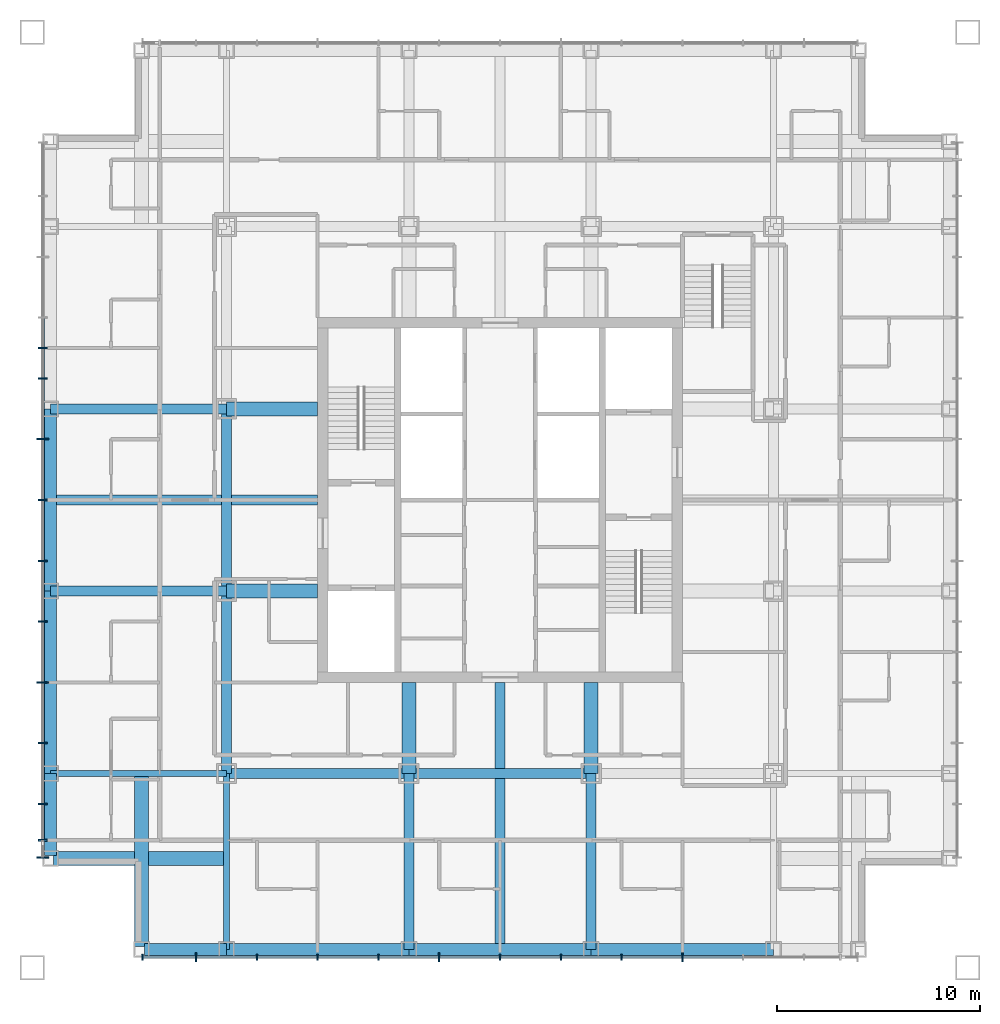
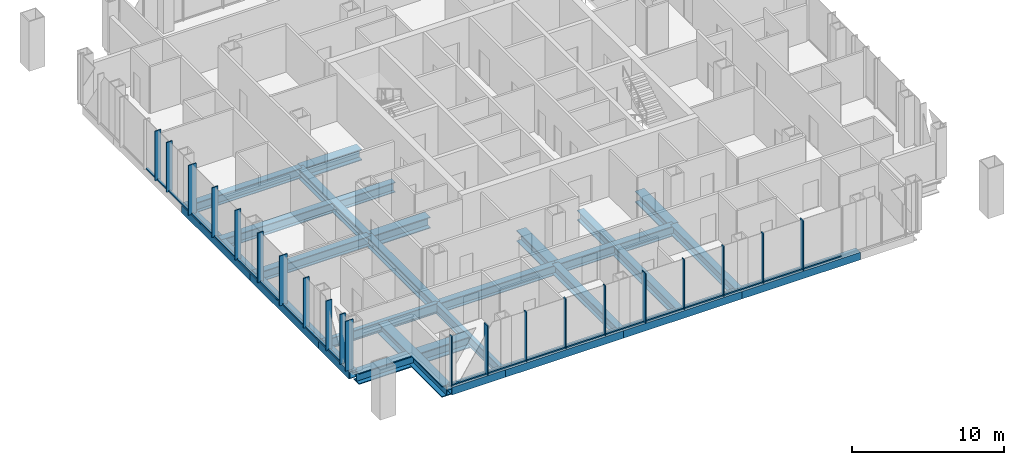
# One storey, part 2 of 15: 41 members, 25 beams, 2 elements without a shape of their own.
"""IFC4 building model written with IfcOpenShell, lengths in metres."""

from ifc_helpers import new_model, si_unit, direction, frame, origin, origin_2d, place, context, subcontext, project, spatial, rectangle, hollow_rectangle, i_section, extrude, material, layer, layer_set, material_profile, profile_set, type_object, element, aggregate, save


model = new_model("IFC4")

# Units and contexts
model_context = context("Model", 3, precision=1e-05, world=origin(), true_north=direction((0.0, 1.0)))
body_context = subcontext(model_context, "Body", "Model", "MODEL_VIEW")
ifc_project = project(units=[si_unit("LENGTHUNIT", "METRE"), si_unit("AREAUNIT", "SQUARE_METRE"), si_unit("VOLUMEUNIT", "CUBIC_METRE"), si_unit("PLANEANGLEUNIT", "RADIAN"), si_unit("MASSUNIT", "GRAM", prefix="KILO")], contexts=[model_context])

# Site, building, storey
site_placement = place(None, origin())
site = spatial("IfcSite", under=ifc_project, at=site_placement, CompositionType="ELEMENT")
building_placement = place(site_placement, origin())
building = spatial("IfcBuilding", under=site, at=building_placement, Name="Malebo Sky Hospital", CompositionType="ELEMENT")
storey_placement = place(building_placement, frame((0.0, 0.0, 217.0)))
storey = spatial("IfcBuildingStorey", under=building, at=storey_placement, Name="L52", CompositionType="ELEMENT", Elevation=217.0)

# Curtain wall, members
ifc_material_1 = material(Name="Anodised aluminium, natural silver", Category="aluminium")
ifc_layer_1 = layer(ifc_material_1, 0.25)
ifc_layer_set_1 = layer_set([ifc_layer_1], Name="WARD CURTAIN WALL EAST AND WEST")
curtain_wall_type_1 = type_object("IfcCurtainWallType", Name="WARD CURTAIN WALL EAST AND WEST", PredefinedType="NOTDEFINED", material=ifc_layer_set_1)
curtain_wall_1_placement = place(storey_placement, origin())
curtain_wall_1 = element("IfcCurtainWall", 1, at=curtain_wall_1_placement, inside=storey, type_object=curtain_wall_type_1, Name="EW curtain wall W", PredefinedType="NOTDEFINED")
ifc_material_profile_1 = material_profile(ifc_material_1, rectangle(XDim=0.14990234375, YDim=0.10009765625, at=origin_2d()), Name="ALUMINIUM TRANSOM 150x100")
ifc_profile_set_1 = profile_set([ifc_material_profile_1], Name="Anodised aluminium, natural silver")
member_type_1 = type_object("IfcMemberType", Name="ALUMINIUM TRANSOM 150x100", PredefinedType="USERDEFINED", material=ifc_profile_set_1)
member_1_placement = place(storey_placement, frame((37.425048828125, 45.237548828125, 0.050048828125), z_axis=(0.0, 1.0, 0.0), x_axis=(-1.0, 0.0, 0.0)))
member_1 = element("IfcMember", 2, at=member_1_placement, type_object=member_type_1, Name="Transom 2", ObjectType="TRANSOM", PredefinedType="USERDEFINED", context=body_context, shape_type="SweptSolid", body=[
    extrude(rectangle(XDim=0.14990234375, YDim=0.10009765625, at=origin_2d()), origin(), (0.0, 0.0, 1.0), 1.724853515625),
])
member_2_placement = place(storey_placement, frame((37.425048828125, 47.03759765625, 0.050048828125), z_axis=(0.0, 1.0, 0.0), x_axis=(-1.0, 0.0, 0.0)))
member_2 = element("IfcMember", 3, at=member_2_placement, type_object=member_type_1, Name="Transom 3", ObjectType="TRANSOM", PredefinedType="USERDEFINED", context=body_context, shape_type="SweptSolid", body=[
    extrude(rectangle(XDim=0.14990234375, YDim=0.10009765625, at=origin_2d()), origin(), (0.0, 0.0, 1.0), 2.9248046875),
])
member_3_placement = place(storey_placement, frame((37.425048828125, 50.03759765625, 0.050048828125), z_axis=(0.0, 1.0, 0.0), x_axis=(-1.0, 0.0, 0.0)))
member_3 = element("IfcMember", 4, at=member_3_placement, type_object=member_type_1, Name="Transom 4", ObjectType="TRANSOM", PredefinedType="USERDEFINED", context=body_context, shape_type="SweptSolid", body=[
    extrude(rectangle(XDim=0.14990234375, YDim=0.10009765625, at=origin_2d()), origin(), (0.0, 0.0, 1.0), 2.9248046875),
])
member_4_placement = place(storey_placement, frame((37.425048828125, 53.03759765625, 0.050048828125), z_axis=(0.0, 1.0, 0.0), x_axis=(-1.0, 0.0, 0.0)))
member_4 = element("IfcMember", 5, at=member_4_placement, type_object=member_type_1, Name="Transom 5", ObjectType="TRANSOM", PredefinedType="USERDEFINED", context=body_context, shape_type="SweptSolid", body=[
    extrude(rectangle(XDim=0.14990234375, YDim=0.10009765625, at=origin_2d()), origin(), (0.0, 0.0, 1.0), 2.9248046875),
])
member_5_placement = place(storey_placement, frame((37.425048828125, 56.03759765625, 0.050048828125), z_axis=(0.0, 1.0, 0.0), x_axis=(-1.0, 0.0, 0.0)))
member_5 = element("IfcMember", 6, at=member_5_placement, type_object=member_type_1, Name="Transom 6", ObjectType="TRANSOM", PredefinedType="USERDEFINED", context=body_context, shape_type="SweptSolid", body=[
    extrude(rectangle(XDim=0.14990234375, YDim=0.10009765625, at=origin_2d()), origin(), (0.0, 0.0, 1.0), 2.9248046875),
])
member_6_placement = place(storey_placement, frame((37.425048828125, 59.03759765625, 0.050048828125), z_axis=(0.0, 1.0, 0.0), x_axis=(-1.0, 0.0, 0.0)))
member_6 = element("IfcMember", 7, at=member_6_placement, type_object=member_type_1, Name="Transom 7", ObjectType="TRANSOM", PredefinedType="USERDEFINED", context=body_context, shape_type="SweptSolid", body=[
    extrude(rectangle(XDim=0.14990234375, YDim=0.10009765625, at=origin_2d()), origin(), (0.0, 0.0, 1.0), 2.9248046875),
])
member_7_placement = place(storey_placement, frame((37.425048828125, 62.03759765625, 0.050048828125), z_axis=(0.0, 1.0, 0.0), x_axis=(-1.0, 0.0, 0.0)))
member_7 = element("IfcMember", 8, at=member_7_placement, type_object=member_type_1, Name="Transom 8", ObjectType="TRANSOM", PredefinedType="USERDEFINED", context=body_context, shape_type="SweptSolid", body=[
    extrude(rectangle(XDim=0.14990234375, YDim=0.10009765625, at=origin_2d()), origin(), (0.0, 0.0, 1.0), 2.9248046875),
])
member_8_placement = place(storey_placement, frame((37.425048828125, 65.03759765625, 0.050048828125), z_axis=(0.0, 1.0, 0.0), x_axis=(-1.0, 0.0, 0.0)))
member_8 = element("IfcMember", 9, at=member_8_placement, type_object=member_type_1, Name="Transom 9", ObjectType="TRANSOM", PredefinedType="USERDEFINED", context=body_context, shape_type="SweptSolid", body=[
    extrude(rectangle(XDim=0.14990234375, YDim=0.10009765625, at=origin_2d()), origin(), (0.0, 0.0, 1.0), 2.9248046875),
])
member_9_placement = place(storey_placement, frame((37.425048828125, 68.03759765625, 0.050048828125), z_axis=(0.0, 1.0, 0.0), x_axis=(-1.0, 0.0, 0.0)))
member_9 = element("IfcMember", 10, at=member_9_placement, type_object=member_type_1, Name="Transom 10", ObjectType="TRANSOM", PredefinedType="USERDEFINED", context=body_context, shape_type="SweptSolid", body=[
    extrude(rectangle(XDim=0.14990234375, YDim=0.10009765625, at=origin_2d()), origin(), (0.0, 0.0, 1.0), 1.4248046875),
])
member_10_placement = place(storey_placement, frame((37.425048828125, 69.53759765625, 0.050048828125), z_axis=(0.0, 1.0, 0.0), x_axis=(-1.0, 0.0, 0.0)))
member_10 = element("IfcMember", 11, at=member_10_placement, type_object=member_type_1, Name="Transom 11", ObjectType="TRANSOM", PredefinedType="USERDEFINED", context=body_context, shape_type="SweptSolid", body=[
    extrude(rectangle(XDim=0.14990234375, YDim=0.10009765625, at=origin_2d()), origin(), (0.0, 0.0, 1.0), 1.4248046875),
])

ifc_layer_2 = layer(ifc_material_1, 0.25)
ifc_layer_set_2 = layer_set([ifc_layer_2], Name="WARD CURTAIN WALL NORTH AND SOUTH")
curtain_wall_type_2 = type_object("IfcCurtainWallType", Name="WARD CURTAIN WALL NORTH AND SOUTH", PredefinedType="NOTDEFINED", material=ifc_layer_set_2)
curtain_wall_2_placement = place(storey_placement, origin())
curtain_wall_2 = element("IfcCurtainWall", 12, at=curtain_wall_2_placement, inside=storey, type_object=curtain_wall_type_2, Name="NS curtain wall S", PredefinedType="NOTDEFINED")
member_11_placement = place(storey_placement, frame((71.96240234375, 39.425048828125, 0.050048828125), z_axis=(-1.0, 0.0, 0.0), x_axis=(0.0, -1.0, 0.0)))
member_11 = element("IfcMember", 13, at=member_11_placement, type_object=member_type_1, Name="Transom 4", ObjectType="TRANSOM", PredefinedType="USERDEFINED", context=body_context, shape_type="SweptSolid", body=[
    extrude(rectangle(XDim=0.14990234375, YDim=0.10009765625, at=origin_2d()), origin(), (0.0, 0.0, 1.0), 2.9248046875),
])
member_12_placement = place(storey_placement, frame((68.96240234375, 39.425048828125, 0.050048828125), z_axis=(-1.0, 0.0, 0.0), x_axis=(0.0, -1.0, 0.0)))
member_12 = element("IfcMember", 14, at=member_12_placement, type_object=member_type_1, Name="Transom 5", ObjectType="TRANSOM", PredefinedType="USERDEFINED", context=body_context, shape_type="SweptSolid", body=[
    extrude(rectangle(XDim=0.14990234375, YDim=0.10009765625, at=origin_2d()), origin(), (0.0, 0.0, 1.0), 2.9248046875),
])
member_13_placement = place(storey_placement, frame((65.96240234375, 39.425048828125, 0.050048828125), z_axis=(-1.0, 0.0, 0.0), x_axis=(0.0, -1.0, 0.0)))
member_13 = element("IfcMember", 15, at=member_13_placement, type_object=member_type_1, Name="Transom 6", ObjectType="TRANSOM", PredefinedType="USERDEFINED", context=body_context, shape_type="SweptSolid", body=[
    extrude(rectangle(XDim=0.14990234375, YDim=0.10009765625, at=origin_2d()), origin(), (0.0, 0.0, 1.0), 2.9248046875),
])
member_14_placement = place(storey_placement, frame((62.96240234375, 39.425048828125, 0.050048828125), z_axis=(-1.0, 0.0, 0.0), x_axis=(0.0, -1.0, 0.0)))
member_14 = element("IfcMember", 16, at=member_14_placement, type_object=member_type_1, Name="Transom 7", ObjectType="TRANSOM", PredefinedType="USERDEFINED", context=body_context, shape_type="SweptSolid", body=[
    extrude(rectangle(XDim=0.14990234375, YDim=0.10009765625, at=origin_2d()), origin(), (0.0, 0.0, 1.0), 2.9248046875),
])
member_15_placement = place(storey_placement, frame((59.96240234375, 39.425048828125, 0.050048828125), z_axis=(-1.0, 0.0, 0.0), x_axis=(0.0, -1.0, 0.0)))
member_15 = element("IfcMember", 17, at=member_15_placement, type_object=member_type_1, Name="Transom 8", ObjectType="TRANSOM", PredefinedType="USERDEFINED", context=body_context, shape_type="SweptSolid", body=[
    extrude(rectangle(XDim=0.14990234375, YDim=0.10009765625, at=origin_2d()), origin(), (0.0, 0.0, 1.0), 2.9248046875),
])
member_16_placement = place(storey_placement, frame((56.96240234375, 39.425048828125, 0.050048828125), z_axis=(-1.0, 0.0, 0.0), x_axis=(0.0, -1.0, 0.0)))
member_16 = element("IfcMember", 18, at=member_16_placement, type_object=member_type_1, Name="Transom 9", ObjectType="TRANSOM", PredefinedType="USERDEFINED", context=body_context, shape_type="SweptSolid", body=[
    extrude(rectangle(XDim=0.14990234375, YDim=0.10009765625, at=origin_2d()), origin(), (0.0, 0.0, 1.0), 2.9248046875),
])
member_17_placement = place(storey_placement, frame((53.96240234375, 39.425048828125, 0.050048828125), z_axis=(-1.0, 0.0, 0.0), x_axis=(0.0, -1.0, 0.0)))
member_17 = element("IfcMember", 19, at=member_17_placement, type_object=member_type_1, Name="Transom 10", ObjectType="TRANSOM", PredefinedType="USERDEFINED", context=body_context, shape_type="SweptSolid", body=[
    extrude(rectangle(XDim=0.14990234375, YDim=0.10009765625, at=origin_2d()), origin(), (0.0, 0.0, 1.0), 2.9248046875),
])
member_18_placement = place(storey_placement, frame((50.96240234375, 39.425048828125, 0.050048828125), z_axis=(-1.0, 0.0, 0.0), x_axis=(0.0, -1.0, 0.0)))
member_18 = element("IfcMember", 20, at=member_18_placement, type_object=member_type_1, Name="Transom 11", ObjectType="TRANSOM", PredefinedType="USERDEFINED", context=body_context, shape_type="SweptSolid", body=[
    extrude(rectangle(XDim=0.14990234375, YDim=0.10009765625, at=origin_2d()), origin(), (0.0, 0.0, 1.0), 2.9248046875),
])
member_19_placement = place(storey_placement, frame((47.96240234375, 39.425048828125, 0.050048828125), z_axis=(-1.0, 0.0, 0.0), x_axis=(0.0, -1.0, 0.0)))
member_19 = element("IfcMember", 21, at=member_19_placement, type_object=member_type_1, Name="Transom 12", ObjectType="TRANSOM", PredefinedType="USERDEFINED", context=body_context, shape_type="SweptSolid", body=[
    extrude(rectangle(XDim=0.14990234375, YDim=0.10009765625, at=origin_2d()), origin(), (0.0, 0.0, 1.0), 2.9248046875),
])
member_20_placement = place(storey_placement, frame((44.96240234375, 39.425048828125, 0.050048828125), z_axis=(-1.0, 0.0, 0.0), x_axis=(0.0, -1.0, 0.0)))
member_20 = element("IfcMember", 22, at=member_20_placement, type_object=member_type_1, Name="Transom 13", ObjectType="TRANSOM", PredefinedType="USERDEFINED", context=body_context, shape_type="SweptSolid", body=[
    extrude(rectangle(XDim=0.14990234375, YDim=0.10009765625, at=origin_2d()), origin(), (0.0, 0.0, 1.0), 2.58740234375),
])
ifc_material_profile_2 = material_profile(ifc_material_1, rectangle(XDim=0.074951171875, YDim=0.300048828125, at=origin_2d()), Name="CW1 ALUMINIUM FIN MULLION 75x300")
ifc_profile_set_2 = profile_set([ifc_material_profile_2], Name="Anodised aluminium, natural silver")
member_type_2 = type_object("IfcMemberType", Name="CW1 ALUMINIUM FIN MULLION 75x300", PredefinedType="MULLION", material=ifc_profile_set_2)
member_21_placement = place(storey_placement, frame((66.0, 39.425048828125, 0.0), z_axis=(0.0, 0.0, 1.0), x_axis=(-1.0, 0.0, 0.0)))
member_21 = element("IfcMember", 23, at=member_21_placement, type_object=member_type_2, Name="Fin mullion 6", PredefinedType="MULLION", context=body_context, shape_type="SweptSolid", body=[
    extrude(rectangle(XDim=0.074951171875, YDim=0.300048828125, at=origin_2d()), origin(), (0.0, 0.0, 1.0), 4.0),
])
member_22_placement = place(storey_placement, frame((63.0, 39.425048828125, 0.0), z_axis=(0.0, 0.0, 1.0), x_axis=(-1.0, 0.0, 0.0)))
member_22 = element("IfcMember", 24, at=member_22_placement, type_object=member_type_2, Name="Fin mullion 7", PredefinedType="MULLION", context=body_context, shape_type="SweptSolid", body=[
    extrude(rectangle(XDim=0.074951171875, YDim=0.300048828125, at=origin_2d()), origin(), (0.0, 0.0, 1.0), 4.0),
])
member_23_placement = place(storey_placement, frame((60.0, 39.425048828125, 0.0), z_axis=(0.0, 0.0, 1.0), x_axis=(-1.0, 0.0, 0.0)))
member_23 = element("IfcMember", 25, at=member_23_placement, type_object=member_type_2, Name="Fin mullion 8", PredefinedType="MULLION", context=body_context, shape_type="SweptSolid", body=[
    extrude(rectangle(XDim=0.074951171875, YDim=0.300048828125, at=origin_2d()), origin(), (0.0, 0.0, 1.0), 4.0),
])
member_24_placement = place(storey_placement, frame((54.0, 39.425048828125, 0.0), z_axis=(0.0, 0.0, 1.0), x_axis=(-1.0, 0.0, 0.0)))
member_24 = element("IfcMember", 26, at=member_24_placement, type_object=member_type_2, Name="Fin mullion 10", PredefinedType="MULLION", context=body_context, shape_type="SweptSolid", body=[
    extrude(rectangle(XDim=0.074951171875, YDim=0.300048828125, at=origin_2d()), origin(), (0.0, 0.0, 1.0), 4.0),
])
member_25_placement = place(storey_placement, frame((51.0, 39.425048828125, 0.0), z_axis=(0.0, 0.0, 1.0), x_axis=(-1.0, 0.0, 0.0)))
member_25 = element("IfcMember", 27, at=member_25_placement, type_object=member_type_2, Name="Fin mullion 11", PredefinedType="MULLION", context=body_context, shape_type="SweptSolid", body=[
    extrude(rectangle(XDim=0.074951171875, YDim=0.300048828125, at=origin_2d()), origin(), (0.0, 0.0, 1.0), 4.0),
])
member_26_placement = place(storey_placement, frame((48.0, 39.425048828125, 0.0), z_axis=(0.0, 0.0, 1.0), x_axis=(-1.0, 0.0, 0.0)))
member_26 = element("IfcMember", 28, at=member_26_placement, type_object=member_type_2, Name="Fin mullion 12", PredefinedType="MULLION", context=body_context, shape_type="SweptSolid", body=[
    extrude(rectangle(XDim=0.074951171875, YDim=0.300048828125, at=origin_2d()), origin(), (0.0, 0.0, 1.0), 4.0),
])
member_27_placement = place(storey_placement, frame((42.33740234375, 39.425048828125, 0.0), z_axis=(0.0, 0.0, 1.0), x_axis=(-1.0, 0.0, 0.0)))
member_27 = element("IfcMember", 29, at=member_27_placement, type_object=member_type_2, Name="Fin mullion 14", PredefinedType="MULLION", context=body_context, shape_type="SweptSolid", body=[
    extrude(rectangle(XDim=0.074951171875, YDim=0.300048828125, at=origin_2d()), origin(), (0.0, 0.0, 1.0), 4.0),
])
ifc_material_profile_3 = material_profile(ifc_material_1, rectangle(XDim=0.074951171875, YDim=0.449951171875, at=origin_2d()), Name="CW1 ALUMINIUM FIN MULLION 75x450")
ifc_profile_set_3 = profile_set([ifc_material_profile_3], Name="Anodised aluminium, natural silver")
member_type_3 = type_object("IfcMemberType", Name="CW1 ALUMINIUM FIN MULLION 75x450", PredefinedType="MULLION", material=ifc_profile_set_3)
member_28_placement = place(storey_placement, frame((69.0, 39.425048828125, 0.0), z_axis=(0.0, 0.0, 1.0), x_axis=(-1.0, 0.0, 0.0)))
member_28 = element("IfcMember", 30, at=member_28_placement, type_object=member_type_3, Name="Fin mullion 5", PredefinedType="MULLION", context=body_context, shape_type="SweptSolid", body=[
    extrude(rectangle(XDim=0.074951171875, YDim=0.449951171875, at=origin_2d()), origin(), (0.0, 0.0, 1.0), 4.0),
])
member_29_placement = place(storey_placement, frame((57.0, 39.425048828125, 0.0), z_axis=(0.0, 0.0, 1.0), x_axis=(-1.0, 0.0, 0.0)))
member_29 = element("IfcMember", 31, at=member_29_placement, type_object=member_type_3, Name="Fin mullion 9", PredefinedType="MULLION", context=body_context, shape_type="SweptSolid", body=[
    extrude(rectangle(XDim=0.074951171875, YDim=0.449951171875, at=origin_2d()), origin(), (0.0, 0.0, 1.0), 4.0),
])
member_30_placement = place(storey_placement, frame((45.0, 39.425048828125, 0.0), z_axis=(0.0, 0.0, 1.0), x_axis=(-1.0, 0.0, 0.0)))
member_30 = element("IfcMember", 32, at=member_30_placement, type_object=member_type_3, Name="Fin mullion 13", PredefinedType="MULLION", context=body_context, shape_type="SweptSolid", body=[
    extrude(rectangle(XDim=0.074951171875, YDim=0.449951171875, at=origin_2d()), origin(), (0.0, 0.0, 1.0), 4.0),
])
aggregate(curtain_wall_2, [member_28, member_21, member_22, member_23, member_29, member_24, member_25, member_26, member_30, member_27, member_11, member_12, member_13, member_14, member_15, member_16, member_17, member_18, member_19, member_20])

# Member
ifc_material_profile_4 = material_profile(ifc_material_1, rectangle(XDim=0.074951171875, YDim=0.449951171875, at=origin_2d()), Name="CW2 ALUMINIUM FIN MULLION 75x450")
ifc_profile_set_4 = profile_set([ifc_material_profile_4], Name="Anodised aluminium, natural silver")
member_type_4 = type_object("IfcMemberType", Name="CW2 ALUMINIUM FIN MULLION 75x450", PredefinedType="MULLION", material=ifc_profile_set_4)
member_31_placement = place(storey_placement, frame((37.425048828125, 45.199951171875, 0.0), z_axis=(0.0, 0.0, 1.0), x_axis=(0.0, 1.0, 0.0)))
member_31 = element("IfcMember", 33, at=member_31_placement, type_object=member_type_4, Name="Fin mullion 2", PredefinedType="MULLION", context=body_context, shape_type="SweptSolid", body=[
    extrude(rectangle(XDim=0.074951171875, YDim=0.449951171875, at=origin_2d()), origin(), (0.0, 0.0, 1.0), 4.0),
])

member_32_placement = place(storey_placement, frame((37.425048828125, 47.0, 0.0), z_axis=(0.0, 0.0, 1.0), x_axis=(0.0, 1.0, 0.0)))
member_32 = element("IfcMember", 34, at=member_32_placement, type_object=member_type_4, Name="Fin mullion 3", PredefinedType="MULLION", context=body_context, shape_type="SweptSolid", body=[
    extrude(rectangle(XDim=0.074951171875, YDim=0.449951171875, at=origin_2d()), origin(), (0.0, 0.0, 1.0), 4.0),
])

member_33_placement = place(storey_placement, frame((37.425048828125, 50.0, 0.0), z_axis=(0.0, 0.0, 1.0), x_axis=(0.0, 1.0, 0.0)))
member_33 = element("IfcMember", 35, at=member_33_placement, type_object=member_type_4, Name="Fin mullion 4", PredefinedType="MULLION", context=body_context, shape_type="SweptSolid", body=[
    extrude(rectangle(XDim=0.074951171875, YDim=0.449951171875, at=origin_2d()), origin(), (0.0, 0.0, 1.0), 4.0),
])

member_34_placement = place(storey_placement, frame((37.425048828125, 56.0, 0.0), z_axis=(0.0, 0.0, 1.0), x_axis=(0.0, 1.0, 0.0)))
member_34 = element("IfcMember", 36, at=member_34_placement, type_object=member_type_4, Name="Fin mullion 6", PredefinedType="MULLION", context=body_context, shape_type="SweptSolid", body=[
    extrude(rectangle(XDim=0.074951171875, YDim=0.449951171875, at=origin_2d()), origin(), (0.0, 0.0, 1.0), 4.0),
])

member_35_placement = place(storey_placement, frame((37.425048828125, 59.0, 0.0), z_axis=(0.0, 0.0, 1.0), x_axis=(0.0, 1.0, 0.0)))
member_35 = element("IfcMember", 37, at=member_35_placement, type_object=member_type_4, Name="Fin mullion 7", PredefinedType="MULLION", context=body_context, shape_type="SweptSolid", body=[
    extrude(rectangle(XDim=0.074951171875, YDim=0.449951171875, at=origin_2d()), origin(), (0.0, 0.0, 1.0), 4.0),
])

member_36_placement = place(storey_placement, frame((37.425048828125, 62.0, 0.0), z_axis=(0.0, 0.0, 1.0), x_axis=(0.0, 1.0, 0.0)))
member_36 = element("IfcMember", 38, at=member_36_placement, type_object=member_type_4, Name="Fin mullion 8", PredefinedType="MULLION", context=body_context, shape_type="SweptSolid", body=[
    extrude(rectangle(XDim=0.074951171875, YDim=0.449951171875, at=origin_2d()), origin(), (0.0, 0.0, 1.0), 4.0),
])

member_37_placement = place(storey_placement, frame((37.425048828125, 68.0, 0.0), z_axis=(0.0, 0.0, 1.0), x_axis=(0.0, 1.0, 0.0)))
member_37 = element("IfcMember", 39, at=member_37_placement, type_object=member_type_4, Name="Fin mullion 10", PredefinedType="MULLION", context=body_context, shape_type="SweptSolid", body=[
    extrude(rectangle(XDim=0.074951171875, YDim=0.449951171875, at=origin_2d()), origin(), (0.0, 0.0, 1.0), 4.0),
])

member_38_placement = place(storey_placement, frame((37.425048828125, 69.5, 0.0), z_axis=(0.0, 0.0, 1.0), x_axis=(0.0, 1.0, 0.0)))
member_38 = element("IfcMember", 40, at=member_38_placement, type_object=member_type_4, Name="Fin mullion 11", PredefinedType="MULLION", context=body_context, shape_type="SweptSolid", body=[
    extrude(rectangle(XDim=0.074951171875, YDim=0.449951171875, at=origin_2d()), origin(), (0.0, 0.0, 1.0), 4.0),
])

ifc_material_profile_5 = material_profile(ifc_material_1, rectangle(XDim=0.074951171875, YDim=0.60009765625, at=origin_2d()), Name="CW2 ALUMINIUM FIN MULLION 75x600")
ifc_profile_set_5 = profile_set([ifc_material_profile_5], Name="Anodised aluminium, natural silver")
member_type_5 = type_object("IfcMemberType", Name="CW2 ALUMINIUM FIN MULLION 75x600", PredefinedType="MULLION", material=ifc_profile_set_5)
member_39_placement = place(storey_placement, frame((37.425048828125, 44.33740234375, 0.0), z_axis=(0.0, 0.0, 1.0), x_axis=(0.0, 1.0, 0.0)))
member_39 = element("IfcMember", 41, at=member_39_placement, type_object=member_type_5, Name="Fin mullion 1", PredefinedType="MULLION", context=body_context, shape_type="SweptSolid", body=[
    extrude(rectangle(XDim=0.074951171875, YDim=0.60009765625, at=origin_2d()), origin(), (0.0, 0.0, 1.0), 4.0),
])

member_40_placement = place(storey_placement, frame((37.425048828125, 53.0, 0.0), z_axis=(0.0, 0.0, 1.0), x_axis=(0.0, 1.0, 0.0)))
member_40 = element("IfcMember", 42, at=member_40_placement, type_object=member_type_5, Name="Fin mullion 5", PredefinedType="MULLION", context=body_context, shape_type="SweptSolid", body=[
    extrude(rectangle(XDim=0.074951171875, YDim=0.60009765625, at=origin_2d()), origin(), (0.0, 0.0, 1.0), 4.0),
])

member_41_placement = place(storey_placement, frame((37.425048828125, 65.0, 0.0), z_axis=(0.0, 0.0, 1.0), x_axis=(0.0, 1.0, 0.0)))
member_41 = element("IfcMember", 43, at=member_41_placement, type_object=member_type_5, Name="Fin mullion 9", PredefinedType="MULLION", context=body_context, shape_type="SweptSolid", body=[
    extrude(rectangle(XDim=0.074951171875, YDim=0.60009765625, at=origin_2d()), origin(), (0.0, 0.0, 1.0), 4.0),
])

aggregate(curtain_wall_1, [member_39, member_31, member_32, member_33, member_40, member_34, member_35, member_36, member_41, member_37, member_38, member_1, member_2, member_3, member_4, member_5, member_6, member_7, member_8, member_9, member_10])

# Beams
ifc_material_2 = material(Name="Steel S460", Category="steel")
ifc_material_profile_6 = material_profile(ifc_material_2, hollow_rectangle(XDim=0.60009765625, YDim=0.60009765625, WallThickness=0.0400390625, at=origin_2d()), Name="BOX 600x600x40")
ifc_profile_set_6 = profile_set([ifc_material_profile_6], Name="Steel S460")
beam_type_1 = type_object("IfcBeamType", Name="EDGE BEAM BOX 600x600x40", PredefinedType="BEAM", material=ifc_profile_set_6)
beam_1_placement = place(storey_placement, frame((37.800048828125, 44.449951171875, -0.550048828125), z_axis=(0.0, 1.0, 0.0), x_axis=(-1.0, 0.0, 0.0)))
element("IfcBeam", 44, at=beam_1_placement, inside=storey, type_object=beam_type_1, Name="Beam 000 L52", PredefinedType="BEAM", context=body_context, shape_type="SweptSolid", body=[
    extrude(hollow_rectangle(XDim=0.60009765625, YDim=0.60009765625, WallThickness=0.0400390625, at=origin_2d()), origin(), (0.0, 0.0, 1.0), 4.050048828125),
])
for number, where, z_axis, x_axis, name in (
    (45, (37.800048828125, 48.5, -0.550048828125), (0.0, 1.0, 0.0), (-1.0, 0.0, 0.0), "Beam 001 L52"),
    (46, (37.800048828125, 57.5, -0.550048828125), (0.0, 1.0, 0.0), (-1.0, 0.0, 0.0), "Beam 002 L52"),
):
    element("IfcBeam", number, at=place(storey_placement, frame(where, z_axis=z_axis, x_axis=x_axis)), inside=storey, type_object=beam_type_1, Name=name, PredefinedType="BEAM", context=body_context, shape_type="SweptSolid", body=[
        extrude(hollow_rectangle(XDim=0.60009765625, YDim=0.60009765625, WallThickness=0.0400390625, at=origin_2d()), origin(), (0.0, 0.0, 1.0), 9.0),
    ])
beam_2_placement = place(storey_placement, frame((42.449951171875, 39.800048828125, -0.550048828125), z_axis=(1.0, 0.0, 0.0), x_axis=(0.0, 1.0, 0.0)))
element("IfcBeam", 47, at=beam_2_placement, inside=storey, type_object=beam_type_1, Name="Beam 034 L52", PredefinedType="BEAM", context=body_context, shape_type="SweptSolid", body=[
    extrude(hollow_rectangle(XDim=0.60009765625, YDim=0.60009765625, WallThickness=0.0400390625, at=origin_2d()), origin(), (0.0, 0.0, 1.0), 4.050048828125),
])
for number, where, z_axis, x_axis, name in (
    (48, (46.5, 39.800048828125, -0.550048828125), (1.0, 0.0, 0.0), (0.0, 1.0, 0.0), "Beam 035 L52"),
    (49, (55.5, 39.800048828125, -0.550048828125), (1.0, 0.0, 0.0), (0.0, 1.0, 0.0), "Beam 036 L52"),
    (50, (64.5, 39.800048828125, -0.550048828125), (1.0, 0.0, 0.0), (0.0, 1.0, 0.0), "Beam 037 L52"),
):
    element("IfcBeam", number, at=place(storey_placement, frame(where, z_axis=z_axis, x_axis=x_axis)), inside=storey, type_object=beam_type_1, Name=name, PredefinedType="BEAM", context=body_context, shape_type="SweptSolid", body=[
        extrude(hollow_rectangle(XDim=0.60009765625, YDim=0.60009765625, WallThickness=0.0400390625, at=origin_2d()), origin(), (0.0, 0.0, 1.0), 9.0),
    ])
ifc_material_3 = material(Name="Steel S355", Category="steel")
ifc_material_profile_7 = material_profile(ifc_material_3, i_section(OverallWidth=0.5, OverallDepth=0.800048828125, WebThickness=0.030029296875, FlangeThickness=0.050048828125, at=origin_2d()), Name="PG 800x500x30x50")
ifc_profile_set_7 = profile_set([ifc_material_profile_7], Name="Steel S355")
beam_type_2 = type_object("IfcBeamType", Name="FLOOR BEAM PG 800x500x30x50", PredefinedType="BEAM", material=ifc_profile_set_7)
beam_3_placement = place(storey_placement, frame((46.5, 48.5, -0.64990234375), z_axis=(0.0, 1.0, 0.0), x_axis=(-1.0, 0.0, 0.0)))
element("IfcBeam", 51, at=beam_3_placement, inside=storey, type_object=beam_type_2, Name="Beam 008 L52", PredefinedType="BEAM", context=body_context, shape_type="SweptSolid", body=[
    extrude(i_section(OverallWidth=0.5, OverallDepth=0.800048828125, WebThickness=0.030029296875, FlangeThickness=0.050048828125, at=origin_2d()), origin(), (0.0, 0.0, 1.0), 9.0),
])
beam_4_placement = place(storey_placement, frame((55.5, 39.800048828125, -0.64990234375), z_axis=(0.0, 1.0, 0.0), x_axis=(-1.0, 0.0, 0.0)))
element("IfcBeam", 52, at=beam_4_placement, inside=storey, type_object=beam_type_2, Name="Beam 012 L52", PredefinedType="BEAM", context=body_context, shape_type="SweptSolid", body=[
    extrude(i_section(OverallWidth=0.5, OverallDepth=0.800048828125, WebThickness=0.030029296875, FlangeThickness=0.050048828125, at=origin_2d()), origin(), (0.0, 0.0, 1.0), 8.699951171875),
])
beam_5_placement = place(storey_placement, frame((60.0, 39.800048828125, -0.64990234375), z_axis=(0.0, 1.0, 0.0), x_axis=(-1.0, 0.0, 0.0)))
element("IfcBeam", 53, at=beam_5_placement, inside=storey, type_object=beam_type_2, Name="Beam 016 L52", PredefinedType="BEAM", context=body_context, shape_type="SweptSolid", body=[
    extrude(i_section(OverallWidth=0.5, OverallDepth=0.800048828125, WebThickness=0.030029296875, FlangeThickness=0.050048828125, at=origin_2d()), origin(), (0.0, 0.0, 1.0), 13.199951171875),
])
beam_6_placement = place(storey_placement, frame((64.5, 39.800048828125, -0.64990234375), z_axis=(0.0, 1.0, 0.0), x_axis=(-1.0, 0.0, 0.0)))
element("IfcBeam", 54, at=beam_6_placement, inside=storey, type_object=beam_type_2, Name="Beam 018 L52", PredefinedType="BEAM", context=body_context, shape_type="SweptSolid", body=[
    extrude(i_section(OverallWidth=0.5, OverallDepth=0.800048828125, WebThickness=0.030029296875, FlangeThickness=0.050048828125, at=origin_2d()), origin(), (0.0, 0.0, 1.0), 8.699951171875),
])
beam_7_placement = place(storey_placement, frame((46.5, 48.5, -0.64990234375), z_axis=(1.0, 0.0, 0.0), x_axis=(0.0, 1.0, 0.0)))
element("IfcBeam", 55, at=beam_7_placement, inside=storey, type_object=beam_type_2, Name="Beam 042 L52", PredefinedType="BEAM", context=body_context, shape_type="SweptSolid", body=[
    extrude(i_section(OverallWidth=0.5, OverallDepth=0.800048828125, WebThickness=0.030029296875, FlangeThickness=0.050048828125, at=origin_2d()), origin(), (0.0, 0.0, 1.0), 9.0),
])
beam_8_placement = place(storey_placement, frame((37.800048828125, 57.5, -0.64990234375), z_axis=(1.0, 0.0, 0.0), x_axis=(0.0, 1.0, 0.0)))
element("IfcBeam", 56, at=beam_8_placement, inside=storey, type_object=beam_type_2, Name="Beam 046 L52", PredefinedType="BEAM", context=body_context, shape_type="SweptSolid", body=[
    extrude(i_section(OverallWidth=0.5, OverallDepth=0.800048828125, WebThickness=0.030029296875, FlangeThickness=0.050048828125, at=origin_2d()), origin(), (0.0, 0.0, 1.0), 8.699951171875),
])
beam_9_placement = place(storey_placement, frame((37.800048828125, 62.0, -0.64990234375), z_axis=(1.0, 0.0, 0.0), x_axis=(0.0, 1.0, 0.0)))
element("IfcBeam", 57, at=beam_9_placement, inside=storey, type_object=beam_type_2, Name="Beam 050 L52", PredefinedType="BEAM", context=body_context, shape_type="SweptSolid", body=[
    extrude(i_section(OverallWidth=0.5, OverallDepth=0.800048828125, WebThickness=0.030029296875, FlangeThickness=0.050048828125, at=origin_2d()), origin(), (0.0, 0.0, 1.0), 13.199951171875),
])
beam_10_placement = place(storey_placement, frame((37.800048828125, 66.5, -0.64990234375), z_axis=(1.0, 0.0, 0.0), x_axis=(0.0, 1.0, 0.0)))
element("IfcBeam", 58, at=beam_10_placement, inside=storey, type_object=beam_type_2, Name="Beam 052 L52", PredefinedType="BEAM", context=body_context, shape_type="SweptSolid", body=[
    extrude(i_section(OverallWidth=0.5, OverallDepth=0.800048828125, WebThickness=0.030029296875, FlangeThickness=0.050048828125, at=origin_2d()), origin(), (0.0, 0.0, 1.0), 8.699951171875),
])
ifc_material_profile_8 = material_profile(ifc_material_3, i_section(OverallWidth=0.699951171875, OverallDepth=0.89990234375, WebThickness=0.0400390625, FlangeThickness=0.070068359375, at=origin_2d()), Name="PG 900x700x40x70")
ifc_profile_set_8 = profile_set([ifc_material_profile_8], Name="Steel S355")
beam_type_3 = type_object("IfcBeamType", Name="FLOOR BEAM PG 900x700x40x70", PredefinedType="BEAM", material=ifc_profile_set_8)
beam_11_placement = place(storey_placement, frame((42.300048828125, 39.949951171875, -0.699951171875), z_axis=(0.0, 1.0, 0.0), x_axis=(-1.0, 0.0, 0.0)))
element("IfcBeam", 59, at=beam_11_placement, inside=storey, type_object=beam_type_3, Name="Beam 005 L52", PredefinedType="BEAM", context=body_context, shape_type="SweptSolid", body=[
    extrude(i_section(OverallWidth=0.699951171875, OverallDepth=0.89990234375, WebThickness=0.0400390625, FlangeThickness=0.070068359375, at=origin_2d()), origin(), (0.0, 0.0, 1.0), 8.550048828125),
])
for number, where, z_axis, x_axis, name in (
    (60, (55.5, 48.5, -0.699951171875), (0.0, 1.0, 0.0), (-1.0, 0.0, 0.0), "Beam 013 L52"),
    (61, (64.5, 48.5, -0.699951171875), (0.0, 1.0, 0.0), (-1.0, 0.0, 0.0), "Beam 019 L52"),
):
    element("IfcBeam", number, at=place(storey_placement, frame(where, z_axis=z_axis, x_axis=x_axis)), inside=storey, type_object=beam_type_3, Name=name, PredefinedType="BEAM", context=body_context, shape_type="SweptSolid", body=[
        extrude(i_section(OverallWidth=0.699951171875, OverallDepth=0.89990234375, WebThickness=0.0400390625, FlangeThickness=0.070068359375, at=origin_2d()), origin(), (0.0, 0.0, 1.0), 4.5),
    ])
beam_12_placement = place(storey_placement, frame((37.949951171875, 44.300048828125, -0.699951171875), z_axis=(1.0, 0.0, 0.0), x_axis=(0.0, 1.0, 0.0)))
element("IfcBeam", 62, at=beam_12_placement, inside=storey, type_object=beam_type_3, Name="Beam 039 L52", PredefinedType="BEAM", context=body_context, shape_type="SweptSolid", body=[
    extrude(i_section(OverallWidth=0.699951171875, OverallDepth=0.89990234375, WebThickness=0.0400390625, FlangeThickness=0.070068359375, at=origin_2d()), origin(), (0.0, 0.0, 1.0), 8.550048828125),
])
for number, where, z_axis, x_axis, name in (
    (63, (46.5, 57.5, -0.699951171875), (1.0, 0.0, 0.0), (0.0, 1.0, 0.0), "Beam 047 L52"),
    (64, (46.5, 66.5, -0.699951171875), (1.0, 0.0, 0.0), (0.0, 1.0, 0.0), "Beam 053 L52"),
):
    element("IfcBeam", number, at=place(storey_placement, frame(where, z_axis=z_axis, x_axis=x_axis)), inside=storey, type_object=beam_type_3, Name=name, PredefinedType="BEAM", context=body_context, shape_type="SweptSolid", body=[
        extrude(i_section(OverallWidth=0.699951171875, OverallDepth=0.89990234375, WebThickness=0.0400390625, FlangeThickness=0.070068359375, at=origin_2d()), origin(), (0.0, 0.0, 1.0), 4.5),
    ])
ifc_material_profile_9 = material_profile(ifc_material_3, i_section(OverallWidth=0.300048828125, OverallDepth=0.800048828125, WebThickness=0.017578125, FlangeThickness=0.032958984375, FilletRadius=0.030029296875, at=origin_2d()), Name="HEB 800")
ifc_profile_set_9 = profile_set([ifc_material_profile_9], Name="Steel S355")
beam_type_4 = type_object("IfcBeamType", Name="FLOOR GIRDER HEB 800", PredefinedType="BEAM", material=ifc_profile_set_9)
for number, where, z_axis, x_axis, name in (
    (65, (46.5, 39.800048828125, -0.64990234375), (0.0, 1.0, 0.0), (-1.0, 0.0, 0.0), "Beam 007 L52"),
    (66, (37.800048828125, 48.5, -0.64990234375), (1.0, 0.0, 0.0), (0.0, 1.0, 0.0), "Beam 041 L52"),
):
    element("IfcBeam", number, at=place(storey_placement, frame(where, z_axis=z_axis, x_axis=x_axis)), inside=storey, type_object=beam_type_4, Name=name, PredefinedType="BEAM", context=body_context, shape_type="SweptSolid", body=[
        extrude(i_section(OverallWidth=0.300048828125, OverallDepth=0.800048828125, WebThickness=0.017578125, FlangeThickness=0.032958984375, FilletRadius=0.030029296875, at=origin_2d()), origin(), (0.0, 0.0, 1.0), 8.699951171875),
    ])
ifc_material_profile_10 = material_profile(ifc_material_3, i_section(OverallWidth=0.5, OverallDepth=0.800048828125, WebThickness=0.030029296875, FlangeThickness=0.050048828125, at=origin_2d()), Name="PG 800x500x30x50")
ifc_profile_set_10 = profile_set([ifc_material_profile_10], Name="Steel S355")
beam_type_5 = type_object("IfcBeamType", Name="RING GIRDER PG 800x500x30x50", PredefinedType="BEAM", material=ifc_profile_set_10)
for number, where, z_axis, x_axis, name in (
    (67, (46.5, 57.5, -0.64990234375), (0.0, 1.0, 0.0), (-1.0, 0.0, 0.0), "Beam 009 L52"),
    (68, (55.5, 48.5, -0.64990234375), (1.0, 0.0, 0.0), (0.0, 1.0, 0.0), "Beam 043 L52"),
):
    element("IfcBeam", number, at=place(storey_placement, frame(where, z_axis=z_axis, x_axis=x_axis)), inside=storey, type_object=beam_type_5, Name=name, PredefinedType="BEAM", context=body_context, shape_type="SweptSolid", body=[
        extrude(i_section(OverallWidth=0.5, OverallDepth=0.800048828125, WebThickness=0.030029296875, FlangeThickness=0.050048828125, at=origin_2d()), origin(), (0.0, 0.0, 1.0), 9.0),
    ])

save(model, "model.ifc")
